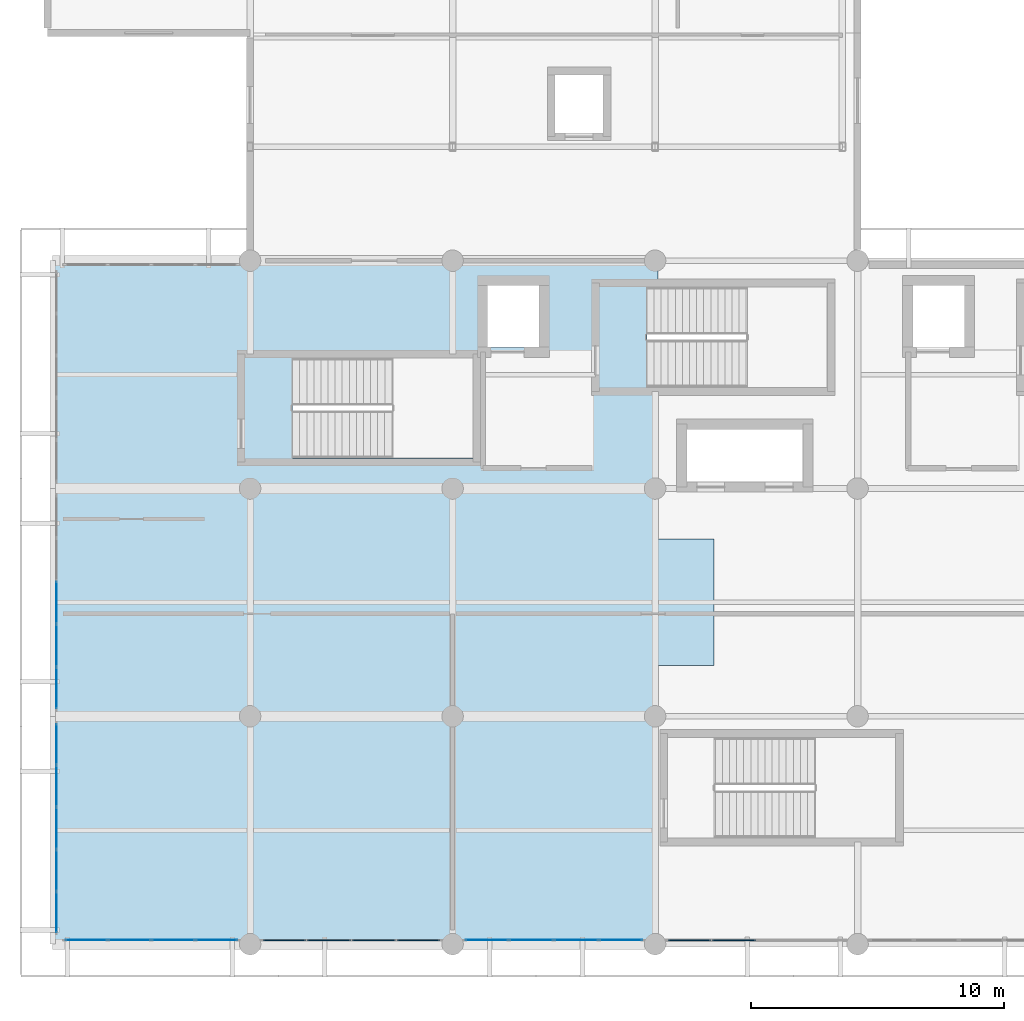
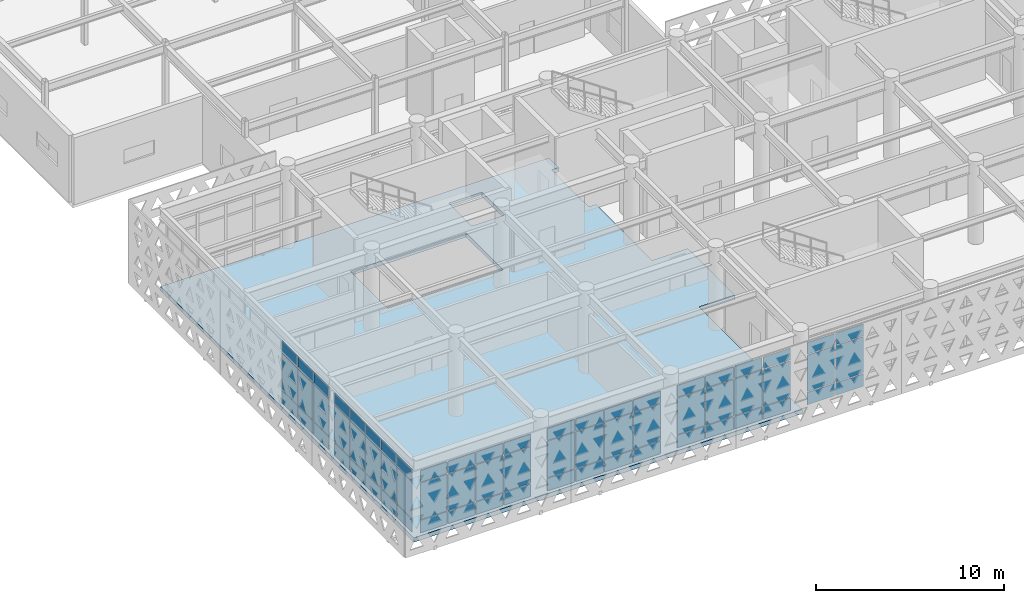
# One storey, part 45 of 84: 66 plates, 1 slab, 6 elements without a shape of their own.
"""IFC4 building model written with IfcOpenShell, lengths in metres."""

from ifc_helpers import new_model, si_unit, direction, frame, origin, origin_2d, place, context, subcontext, project, spatial, polyline, rectangle, outline, extrude, material, layer, layer_set, type_object, element, aggregate, save


model = new_model("IFC4")

# Units and contexts
model_context = context("Model", 3, precision=1e-05, world=origin(), true_north=direction((0.0, 1.0)))
body_context = subcontext(model_context, "Body", "Model", "MODEL_VIEW")
ifc_project = project(units=[si_unit("LENGTHUNIT", "METRE"), si_unit("AREAUNIT", "SQUARE_METRE"), si_unit("VOLUMEUNIT", "CUBIC_METRE"), si_unit("PLANEANGLEUNIT", "RADIAN"), si_unit("MASSUNIT", "GRAM", prefix="KILO")], contexts=[model_context])

# Site, building, storey
site_placement = place(None, origin())
site = spatial("IfcSite", under=ifc_project, at=site_placement, CompositionType="ELEMENT")
building_placement = place(site_placement, origin())
building = spatial("IfcBuilding", under=site, at=building_placement, Name="Tlacozan Convention Centre", CompositionType="ELEMENT")
storey_placement = place(building_placement, frame((0.0, 0.0, 6.0)))
storey = spatial("IfcBuildingStorey", under=building, at=storey_placement, Name="L01", CompositionType="ELEMENT", Elevation=6.0)

# Slab
ifc_material_1 = material(Name="Concrete C40/50", Category="concrete")
ifc_layer_1 = layer(ifc_material_1, 0.280029296875)
ifc_layer_set_1 = layer_set([ifc_layer_1], Name="Concrete C40/50")
slab_type = type_object("IfcSlabType", Name="Congress Composite Floor Slab 280", PredefinedType="FLOOR", material=ifc_layer_set_1)
slab_placement = place(storey_placement, frame((0.0, 0.0, -0.280029296875)))
element("IfcSlab", 1, at=slab_placement, inside=storey, type_object=slab_type, Name="L01 Congress Composite Floor Slab 280 53", PredefinedType="FLOOR", context=body_context, shape_type="SweptSolid", body=[
    extrude(outline(polyline([(0.199951171875, 0.0), (0.199951171875, 27.0), (24.1201171875, 27.0), (24.1201171875, 25.9599609375), (23.679931640625, 25.9599609375), (23.679931640625, 22.0), (24.1201171875, 22.0), (24.1201171875, 16.0), (26.320068359375, 16.0), (26.320068359375, 11.0), (24.1201171875, 11.0), (24.1201171875, 0.0), (0.199951171875, 0.0)]), holes=[polyline([(9.679931640625, 19.199951171875), (16.800048828125, 19.199951171875), (16.800048828125, 23.159912109375), (9.679931640625, 23.159912109375), (9.679931640625, 19.199951171875)]), polyline([(19.419921875, 26.02001953125), (17.3798828125, 26.02001953125), (17.3798828125, 23.580078125), (19.419921875, 23.580078125), (19.419921875, 26.02001953125)])]), origin(), (0.0, 0.0, 1.0), 0.280029296875),
])

# Curtain wall, plates
ifc_material_2 = material(Name="Dark Bronze Anodised Aluminium", Category="aluminium")
ifc_layer_2 = layer(ifc_material_2, 0.159912109375)
ifc_layer_set_2 = layer_set([ifc_layer_2], Name="Dark Bronze Anodised Aluminium")
curtain_wall_type_1 = type_object("IfcCurtainWallType", Name="Unitised Congress L01 South CW02", PredefinedType="NOTDEFINED", material=ifc_layer_set_2)
curtain_wall_1_placement = place(storey_placement, origin())
curtain_wall_1 = element("IfcCurtainWall", 2, at=curtain_wall_1_placement, inside=storey, type_object=curtain_wall_type_1, Name="L01 CW-02 Run 55", PredefinedType="NOTDEFINED")
ifc_material_3 = material(Name="Solar Control Double Low-E Argon Glazing", Category="glass")
ifc_layer_3 = layer(ifc_material_3, 0.02001953125)
ifc_layer_set_3 = layer_set([ifc_layer_3], Name="Solar Control Double Low-E Argon Glazing")
plate_type_1 = type_object("IfcPlateType", Name="Double Low-E Glazed CW Panel 20", PredefinedType="CURTAIN_PANEL", material=ifc_layer_set_3)
plate_1_placement = place(storey_placement, frame((1.52880859375, 0.159912109375, 0.06494140625), z_axis=(0.0, 0.0, 1.0), x_axis=(1.0, 0.0, 0.0)))
plate_1 = element("IfcPlate", 3, at=plate_1_placement, type_object=plate_type_1, Name="CW-02 panel 1.1", PredefinedType="CURTAIN_PANEL", context=body_context, shape_type="SweptSolid", body=[
    extrude(rectangle(XDim=1.62744140625, YDim=0.02001953125, at=origin_2d()), origin(), (0.0, 0.0, 1.0), 0.802490234375),
])
plate_2_placement = place(storey_placement, frame((1.52880859375, 0.159912109375, 0.9326171875), z_axis=(0.0, 0.0, 1.0), x_axis=(1.0, 0.0, 0.0)))
plate_2 = element("IfcPlate", 4, at=plate_2_placement, type_object=plate_type_1, Name="CW-02 panel 1.2", PredefinedType="CURTAIN_PANEL", context=body_context, shape_type="SweptSolid", body=[
    extrude(rectangle(XDim=1.62744140625, YDim=0.02001953125, at=origin_2d()), origin(), (0.0, 0.0, 1.0), 2.364990234375),
])
plate_3_placement = place(storey_placement, frame((1.52880859375, 0.159912109375, 3.362548828125), z_axis=(0.0, 0.0, 1.0), x_axis=(1.0, 0.0, 0.0)))
plate_3 = element("IfcPlate", 5, at=plate_3_placement, type_object=plate_type_1, Name="CW-02 panel 1.3", PredefinedType="CURTAIN_PANEL", context=body_context, shape_type="SweptSolid", body=[
    extrude(rectangle(XDim=1.62744140625, YDim=0.02001953125, at=origin_2d()), origin(), (0.0, 0.0, 1.0), 0.75244140625),
])
plate_4_placement = place(storey_placement, frame((3.237548828125, 0.159912109375, 0.06494140625), z_axis=(0.0, 0.0, 1.0), x_axis=(1.0, 0.0, 0.0)))
plate_4 = element("IfcPlate", 6, at=plate_4_placement, type_object=plate_type_1, Name="CW-02 panel 2.1", PredefinedType="CURTAIN_PANEL", context=body_context, shape_type="SweptSolid", body=[
    extrude(rectangle(XDim=1.659912109375, YDim=0.02001953125, at=origin_2d()), origin(), (0.0, 0.0, 1.0), 0.802490234375),
])
plate_5_placement = place(storey_placement, frame((3.237548828125, 0.159912109375, 0.9326171875), z_axis=(0.0, 0.0, 1.0), x_axis=(1.0, 0.0, 0.0)))
plate_5 = element("IfcPlate", 7, at=plate_5_placement, type_object=plate_type_1, Name="CW-02 panel 2.2", PredefinedType="CURTAIN_PANEL", context=body_context, shape_type="SweptSolid", body=[
    extrude(rectangle(XDim=1.659912109375, YDim=0.02001953125, at=origin_2d()), origin(), (0.0, 0.0, 1.0), 2.364990234375),
])
plate_6_placement = place(storey_placement, frame((3.237548828125, 0.159912109375, 3.362548828125), z_axis=(0.0, 0.0, 1.0), x_axis=(1.0, 0.0, 0.0)))
plate_6 = element("IfcPlate", 8, at=plate_6_placement, type_object=plate_type_1, Name="CW-02 panel 2.3", PredefinedType="CURTAIN_PANEL", context=body_context, shape_type="SweptSolid", body=[
    extrude(rectangle(XDim=1.659912109375, YDim=0.02001953125, at=origin_2d()), origin(), (0.0, 0.0, 1.0), 0.75244140625),
])
plate_7_placement = place(storey_placement, frame((4.96240234375, 0.159912109375, 0.06494140625), z_axis=(0.0, 0.0, 1.0), x_axis=(1.0, 0.0, 0.0)))
plate_7 = element("IfcPlate", 9, at=plate_7_placement, type_object=plate_type_1, Name="CW-02 panel 3.1", PredefinedType="CURTAIN_PANEL", context=body_context, shape_type="SweptSolid", body=[
    extrude(rectangle(XDim=1.659912109375, YDim=0.02001953125, at=origin_2d()), origin(), (0.0, 0.0, 1.0), 0.802490234375),
])
plate_8_placement = place(storey_placement, frame((4.96240234375, 0.159912109375, 0.9326171875), z_axis=(0.0, 0.0, 1.0), x_axis=(1.0, 0.0, 0.0)))
plate_8 = element("IfcPlate", 10, at=plate_8_placement, type_object=plate_type_1, Name="CW-02 panel 3.2", PredefinedType="CURTAIN_PANEL", context=body_context, shape_type="SweptSolid", body=[
    extrude(rectangle(XDim=1.659912109375, YDim=0.02001953125, at=origin_2d()), origin(), (0.0, 0.0, 1.0), 2.364990234375),
])
plate_9_placement = place(storey_placement, frame((4.96240234375, 0.159912109375, 3.362548828125), z_axis=(0.0, 0.0, 1.0), x_axis=(1.0, 0.0, 0.0)))
plate_9 = element("IfcPlate", 11, at=plate_9_placement, type_object=plate_type_1, Name="CW-02 panel 3.3", PredefinedType="CURTAIN_PANEL", context=body_context, shape_type="SweptSolid", body=[
    extrude(rectangle(XDim=1.659912109375, YDim=0.02001953125, at=origin_2d()), origin(), (0.0, 0.0, 1.0), 0.75244140625),
])
plate_10_placement = place(storey_placement, frame((6.671142578125, 0.159912109375, 0.06494140625), z_axis=(0.0, 0.0, 1.0), x_axis=(1.0, 0.0, 0.0)))
plate_10 = element("IfcPlate", 12, at=plate_10_placement, type_object=plate_type_1, Name="CW-02 panel 4.1", PredefinedType="CURTAIN_PANEL", context=body_context, shape_type="SweptSolid", body=[
    extrude(rectangle(XDim=1.62744140625, YDim=0.02001953125, at=origin_2d()), origin(), (0.0, 0.0, 1.0), 0.802490234375),
])
plate_11_placement = place(storey_placement, frame((6.671142578125, 0.159912109375, 0.9326171875), z_axis=(0.0, 0.0, 1.0), x_axis=(1.0, 0.0, 0.0)))
plate_11 = element("IfcPlate", 13, at=plate_11_placement, type_object=plate_type_1, Name="CW-02 panel 4.2", PredefinedType="CURTAIN_PANEL", context=body_context, shape_type="SweptSolid", body=[
    extrude(rectangle(XDim=1.62744140625, YDim=0.02001953125, at=origin_2d()), origin(), (0.0, 0.0, 1.0), 2.364990234375),
])
plate_12_placement = place(storey_placement, frame((6.671142578125, 0.159912109375, 3.362548828125), z_axis=(0.0, 0.0, 1.0), x_axis=(1.0, 0.0, 0.0)))
plate_12 = element("IfcPlate", 14, at=plate_12_placement, type_object=plate_type_1, Name="CW-02 panel 4.3", PredefinedType="CURTAIN_PANEL", context=body_context, shape_type="SweptSolid", body=[
    extrude(rectangle(XDim=1.62744140625, YDim=0.02001953125, at=origin_2d()), origin(), (0.0, 0.0, 1.0), 0.75244140625),
])
aggregate(curtain_wall_1, [plate_1, plate_2, plate_3, plate_4, plate_5, plate_6, plate_7, plate_8, plate_9, plate_10, plate_11, plate_12])

curtain_wall_2_placement = place(storey_placement, origin())
curtain_wall_2 = element("IfcCurtainWall", 15, at=curtain_wall_2_placement, inside=storey, type_object=curtain_wall_type_1, Name="L01 CW-02 Run 57", PredefinedType="NOTDEFINED")
plate_13_placement = place(storey_placement, frame((17.353759765625, 0.159912109375, 0.06494140625), z_axis=(0.0, 0.0, 1.0), x_axis=(1.0, 0.0, 0.0)))
plate_13 = element("IfcPlate", 16, at=plate_13_placement, type_object=plate_type_1, Name="CW-02 panel 1.1", PredefinedType="CURTAIN_PANEL", context=body_context, shape_type="SweptSolid", body=[
    extrude(rectangle(XDim=1.677490234375, YDim=0.02001953125, at=origin_2d()), origin(), (0.0, 0.0, 1.0), 0.802490234375),
])
plate_14_placement = place(storey_placement, frame((17.353759765625, 0.159912109375, 0.9326171875), z_axis=(0.0, 0.0, 1.0), x_axis=(1.0, 0.0, 0.0)))
plate_14 = element("IfcPlate", 17, at=plate_14_placement, type_object=plate_type_1, Name="CW-02 panel 1.2", PredefinedType="CURTAIN_PANEL", context=body_context, shape_type="SweptSolid", body=[
    extrude(rectangle(XDim=1.677490234375, YDim=0.02001953125, at=origin_2d()), origin(), (0.0, 0.0, 1.0), 2.364990234375),
])
plate_15_placement = place(storey_placement, frame((17.353759765625, 0.159912109375, 3.362548828125), z_axis=(0.0, 0.0, 1.0), x_axis=(1.0, 0.0, 0.0)))
plate_15 = element("IfcPlate", 18, at=plate_15_placement, type_object=plate_type_1, Name="CW-02 panel 1.3", PredefinedType="CURTAIN_PANEL", context=body_context, shape_type="SweptSolid", body=[
    extrude(rectangle(XDim=1.677490234375, YDim=0.02001953125, at=origin_2d()), origin(), (0.0, 0.0, 1.0), 0.75244140625),
])
plate_16_placement = place(storey_placement, frame((19.112548828125, 0.159912109375, 0.06494140625), z_axis=(0.0, 0.0, 1.0), x_axis=(1.0, 0.0, 0.0)))
plate_16 = element("IfcPlate", 19, at=plate_16_placement, type_object=plate_type_1, Name="CW-02 panel 2.1", PredefinedType="CURTAIN_PANEL", context=body_context, shape_type="SweptSolid", body=[
    extrude(rectangle(XDim=1.7099609375, YDim=0.02001953125, at=origin_2d()), origin(), (0.0, 0.0, 1.0), 0.802490234375),
])
plate_17_placement = place(storey_placement, frame((19.112548828125, 0.159912109375, 0.9326171875), z_axis=(0.0, 0.0, 1.0), x_axis=(1.0, 0.0, 0.0)))
plate_17 = element("IfcPlate", 20, at=plate_17_placement, type_object=plate_type_1, Name="CW-02 panel 2.2", PredefinedType="CURTAIN_PANEL", context=body_context, shape_type="SweptSolid", body=[
    extrude(rectangle(XDim=1.7099609375, YDim=0.02001953125, at=origin_2d()), origin(), (0.0, 0.0, 1.0), 2.364990234375),
])
plate_18_placement = place(storey_placement, frame((19.112548828125, 0.159912109375, 3.362548828125), z_axis=(0.0, 0.0, 1.0), x_axis=(1.0, 0.0, 0.0)))
plate_18 = element("IfcPlate", 21, at=plate_18_placement, type_object=plate_type_1, Name="CW-02 panel 2.3", PredefinedType="CURTAIN_PANEL", context=body_context, shape_type="SweptSolid", body=[
    extrude(rectangle(XDim=1.7099609375, YDim=0.02001953125, at=origin_2d()), origin(), (0.0, 0.0, 1.0), 0.75244140625),
])
plate_19_placement = place(storey_placement, frame((20.887451171875, 0.159912109375, 0.06494140625), z_axis=(0.0, 0.0, 1.0), x_axis=(1.0, 0.0, 0.0)))
plate_19 = element("IfcPlate", 22, at=plate_19_placement, type_object=plate_type_1, Name="CW-02 panel 3.1", PredefinedType="CURTAIN_PANEL", context=body_context, shape_type="SweptSolid", body=[
    extrude(rectangle(XDim=1.7099609375, YDim=0.02001953125, at=origin_2d()), origin(), (0.0, 0.0, 1.0), 0.802490234375),
])
plate_20_placement = place(storey_placement, frame((20.887451171875, 0.159912109375, 0.9326171875), z_axis=(0.0, 0.0, 1.0), x_axis=(1.0, 0.0, 0.0)))
plate_20 = element("IfcPlate", 23, at=plate_20_placement, type_object=plate_type_1, Name="CW-02 panel 3.2", PredefinedType="CURTAIN_PANEL", context=body_context, shape_type="SweptSolid", body=[
    extrude(rectangle(XDim=1.7099609375, YDim=0.02001953125, at=origin_2d()), origin(), (0.0, 0.0, 1.0), 2.364990234375),
])
plate_21_placement = place(storey_placement, frame((20.887451171875, 0.159912109375, 3.362548828125), z_axis=(0.0, 0.0, 1.0), x_axis=(1.0, 0.0, 0.0)))
plate_21 = element("IfcPlate", 24, at=plate_21_placement, type_object=plate_type_1, Name="CW-02 panel 3.3", PredefinedType="CURTAIN_PANEL", context=body_context, shape_type="SweptSolid", body=[
    extrude(rectangle(XDim=1.7099609375, YDim=0.02001953125, at=origin_2d()), origin(), (0.0, 0.0, 1.0), 0.75244140625),
])
plate_22_placement = place(storey_placement, frame((22.646240234375, 0.159912109375, 0.06494140625), z_axis=(0.0, 0.0, 1.0), x_axis=(1.0, 0.0, 0.0)))
plate_22 = element("IfcPlate", 25, at=plate_22_placement, type_object=plate_type_1, Name="CW-02 panel 4.1", PredefinedType="CURTAIN_PANEL", context=body_context, shape_type="SweptSolid", body=[
    extrude(rectangle(XDim=1.677490234375, YDim=0.02001953125, at=origin_2d()), origin(), (0.0, 0.0, 1.0), 0.802490234375),
])
plate_23_placement = place(storey_placement, frame((22.646240234375, 0.159912109375, 0.9326171875), z_axis=(0.0, 0.0, 1.0), x_axis=(1.0, 0.0, 0.0)))
plate_23 = element("IfcPlate", 26, at=plate_23_placement, type_object=plate_type_1, Name="CW-02 panel 4.2", PredefinedType="CURTAIN_PANEL", context=body_context, shape_type="SweptSolid", body=[
    extrude(rectangle(XDim=1.677490234375, YDim=0.02001953125, at=origin_2d()), origin(), (0.0, 0.0, 1.0), 2.364990234375),
])
plate_24_placement = place(storey_placement, frame((22.646240234375, 0.159912109375, 3.362548828125), z_axis=(0.0, 0.0, 1.0), x_axis=(1.0, 0.0, 0.0)))
plate_24 = element("IfcPlate", 27, at=plate_24_placement, type_object=plate_type_1, Name="CW-02 panel 4.3", PredefinedType="CURTAIN_PANEL", context=body_context, shape_type="SweptSolid", body=[
    extrude(rectangle(XDim=1.677490234375, YDim=0.02001953125, at=origin_2d()), origin(), (0.0, 0.0, 1.0), 0.75244140625),
])
aggregate(curtain_wall_2, [plate_13, plate_14, plate_15, plate_16, plate_17, plate_18, plate_19, plate_20, plate_21, plate_22, plate_23, plate_24])

ifc_layer_4 = layer(ifc_material_2, 0.159912109375)
ifc_layer_set_4 = layer_set([ifc_layer_4], Name="Dark Bronze Anodised Aluminium")
curtain_wall_type_2 = type_object("IfcCurtainWallType", Name="Unitised Congress Gable End CW06", PredefinedType="NOTDEFINED", material=ifc_layer_set_4)
curtain_wall_3_placement = place(storey_placement, origin())
curtain_wall_3 = element("IfcCurtainWall", 28, at=curtain_wall_3_placement, inside=storey, type_object=curtain_wall_type_2, Name="L01 CW-06 Run 72", PredefinedType="NOTDEFINED")
plate_25_placement = place(storey_placement, frame((0.360107421875, 1.259033203125, 0.06005859375), z_axis=(0.0, 0.0, 1.0), x_axis=(0.0, 1.0, 0.0)))
plate_25 = element("IfcPlate", 29, at=plate_25_placement, type_object=plate_type_1, Name="CW-06 panel 1.1", PredefinedType="CURTAIN_PANEL", context=body_context, shape_type="SweptSolid", body=[
    extrude(rectangle(XDim=1.577880859375, YDim=0.02001953125, at=origin_2d()), origin(), (0.0, 0.0, 1.0), 0.81005859375),
])
plate_26_placement = place(storey_placement, frame((0.360107421875, 1.259033203125, 0.929931640625), z_axis=(0.0, 0.0, 1.0), x_axis=(0.0, 1.0, 0.0)))
plate_26 = element("IfcPlate", 30, at=plate_26_placement, type_object=plate_type_1, Name="CW-06 panel 1.2", PredefinedType="CURTAIN_PANEL", context=body_context, shape_type="SweptSolid", body=[
    extrude(rectangle(XDim=1.577880859375, YDim=0.02001953125, at=origin_2d()), origin(), (0.0, 0.0, 1.0), 2.3701171875),
])
plate_27_placement = place(storey_placement, frame((0.360107421875, 1.259033203125, 3.35986328125), z_axis=(0.0, 0.0, 1.0), x_axis=(0.0, 1.0, 0.0)))
plate_27 = element("IfcPlate", 31, at=plate_27_placement, type_object=plate_type_1, Name="CW-06 panel 1.3", PredefinedType="CURTAIN_PANEL", context=body_context, shape_type="SweptSolid", body=[
    extrude(rectangle(XDim=1.577880859375, YDim=0.02001953125, at=origin_2d()), origin(), (0.0, 0.0, 1.0), 0.760009765625),
])
plate_28_placement = place(storey_placement, frame((0.360107421875, 2.912109375, 0.06005859375), z_axis=(0.0, 0.0, 1.0), x_axis=(0.0, 1.0, 0.0)))
plate_28 = element("IfcPlate", 32, at=plate_28_placement, type_object=plate_type_1, Name="CW-06 panel 2.1", PredefinedType="CURTAIN_PANEL", context=body_context, shape_type="SweptSolid", body=[
    extrude(rectangle(XDim=1.60791015625, YDim=0.02001953125, at=origin_2d()), origin(), (0.0, 0.0, 1.0), 0.81005859375),
])
plate_29_placement = place(storey_placement, frame((0.360107421875, 2.912109375, 0.929931640625), z_axis=(0.0, 0.0, 1.0), x_axis=(0.0, 1.0, 0.0)))
plate_29 = element("IfcPlate", 33, at=plate_29_placement, type_object=plate_type_1, Name="CW-06 panel 2.2", PredefinedType="CURTAIN_PANEL", context=body_context, shape_type="SweptSolid", body=[
    extrude(rectangle(XDim=1.60791015625, YDim=0.02001953125, at=origin_2d()), origin(), (0.0, 0.0, 1.0), 2.3701171875),
])
plate_30_placement = place(storey_placement, frame((0.360107421875, 2.912109375, 3.35986328125), z_axis=(0.0, 0.0, 1.0), x_axis=(0.0, 1.0, 0.0)))
plate_30 = element("IfcPlate", 34, at=plate_30_placement, type_object=plate_type_1, Name="CW-06 panel 2.3", PredefinedType="CURTAIN_PANEL", context=body_context, shape_type="SweptSolid", body=[
    extrude(rectangle(XDim=1.60791015625, YDim=0.02001953125, at=origin_2d()), origin(), (0.0, 0.0, 1.0), 0.760009765625),
])
plate_31_placement = place(storey_placement, frame((0.360107421875, 4.580078125, 0.06005859375), z_axis=(0.0, 0.0, 1.0), x_axis=(0.0, 1.0, 0.0)))
plate_31 = element("IfcPlate", 35, at=plate_31_placement, type_object=plate_type_1, Name="CW-06 panel 3.1", PredefinedType="CURTAIN_PANEL", context=body_context, shape_type="SweptSolid", body=[
    extrude(rectangle(XDim=1.60791015625, YDim=0.02001953125, at=origin_2d()), origin(), (0.0, 0.0, 1.0), 0.81005859375),
])
plate_32_placement = place(storey_placement, frame((0.360107421875, 4.580078125, 0.929931640625), z_axis=(0.0, 0.0, 1.0), x_axis=(0.0, 1.0, 0.0)))
plate_32 = element("IfcPlate", 36, at=plate_32_placement, type_object=plate_type_1, Name="CW-06 panel 3.2", PredefinedType="CURTAIN_PANEL", context=body_context, shape_type="SweptSolid", body=[
    extrude(rectangle(XDim=1.60791015625, YDim=0.02001953125, at=origin_2d()), origin(), (0.0, 0.0, 1.0), 2.3701171875),
])
plate_33_placement = place(storey_placement, frame((0.360107421875, 4.580078125, 3.35986328125), z_axis=(0.0, 0.0, 1.0), x_axis=(0.0, 1.0, 0.0)))
plate_33 = element("IfcPlate", 37, at=plate_33_placement, type_object=plate_type_1, Name="CW-06 panel 3.3", PredefinedType="CURTAIN_PANEL", context=body_context, shape_type="SweptSolid", body=[
    extrude(rectangle(XDim=1.60791015625, YDim=0.02001953125, at=origin_2d()), origin(), (0.0, 0.0, 1.0), 0.760009765625),
])
plate_34_placement = place(storey_placement, frame((0.360107421875, 6.248046875, 0.06005859375), z_axis=(0.0, 0.0, 1.0), x_axis=(0.0, 1.0, 0.0)))
plate_34 = element("IfcPlate", 38, at=plate_34_placement, type_object=plate_type_1, Name="CW-06 panel 4.1", PredefinedType="CURTAIN_PANEL", context=body_context, shape_type="SweptSolid", body=[
    extrude(rectangle(XDim=1.60791015625, YDim=0.02001953125, at=origin_2d()), origin(), (0.0, 0.0, 1.0), 0.81005859375),
])
plate_35_placement = place(storey_placement, frame((0.360107421875, 6.248046875, 0.929931640625), z_axis=(0.0, 0.0, 1.0), x_axis=(0.0, 1.0, 0.0)))
plate_35 = element("IfcPlate", 39, at=plate_35_placement, type_object=plate_type_1, Name="CW-06 panel 4.2", PredefinedType="CURTAIN_PANEL", context=body_context, shape_type="SweptSolid", body=[
    extrude(rectangle(XDim=1.60791015625, YDim=0.02001953125, at=origin_2d()), origin(), (0.0, 0.0, 1.0), 2.3701171875),
])
plate_36_placement = place(storey_placement, frame((0.360107421875, 6.248046875, 3.35986328125), z_axis=(0.0, 0.0, 1.0), x_axis=(0.0, 1.0, 0.0)))
plate_36 = element("IfcPlate", 40, at=plate_36_placement, type_object=plate_type_1, Name="CW-06 panel 4.3", PredefinedType="CURTAIN_PANEL", context=body_context, shape_type="SweptSolid", body=[
    extrude(rectangle(XDim=1.60791015625, YDim=0.02001953125, at=origin_2d()), origin(), (0.0, 0.0, 1.0), 0.760009765625),
])
plate_37_placement = place(storey_placement, frame((0.360107421875, 7.90087890625, 0.06005859375), z_axis=(0.0, 0.0, 1.0), x_axis=(0.0, 1.0, 0.0)))
plate_37 = element("IfcPlate", 41, at=plate_37_placement, type_object=plate_type_1, Name="CW-06 panel 5.1", PredefinedType="CURTAIN_PANEL", context=body_context, shape_type="SweptSolid", body=[
    extrude(rectangle(XDim=1.577880859375, YDim=0.02001953125, at=origin_2d()), origin(), (0.0, 0.0, 1.0), 0.81005859375),
])
plate_38_placement = place(storey_placement, frame((0.360107421875, 7.90087890625, 0.929931640625), z_axis=(0.0, 0.0, 1.0), x_axis=(0.0, 1.0, 0.0)))
plate_38 = element("IfcPlate", 42, at=plate_38_placement, type_object=plate_type_1, Name="CW-06 panel 5.2", PredefinedType="CURTAIN_PANEL", context=body_context, shape_type="SweptSolid", body=[
    extrude(rectangle(XDim=1.577880859375, YDim=0.02001953125, at=origin_2d()), origin(), (0.0, 0.0, 1.0), 2.3701171875),
])
plate_39_placement = place(storey_placement, frame((0.360107421875, 7.90087890625, 3.35986328125), z_axis=(0.0, 0.0, 1.0), x_axis=(0.0, 1.0, 0.0)))
plate_39 = element("IfcPlate", 43, at=plate_39_placement, type_object=plate_type_1, Name="CW-06 panel 5.3", PredefinedType="CURTAIN_PANEL", context=body_context, shape_type="SweptSolid", body=[
    extrude(rectangle(XDim=1.577880859375, YDim=0.02001953125, at=origin_2d()), origin(), (0.0, 0.0, 1.0), 0.760009765625),
])
aggregate(curtain_wall_3, [plate_25, plate_26, plate_27, plate_28, plate_29, plate_30, plate_31, plate_32, plate_33, plate_34, plate_35, plate_36, plate_37, plate_38, plate_39])

curtain_wall_4_placement = place(storey_placement, origin())
curtain_wall_4 = element("IfcCurtainWall", 44, at=curtain_wall_4_placement, inside=storey, type_object=curtain_wall_type_2, Name="L01 CW-06 Run 74", PredefinedType="NOTDEFINED")
plate_40_placement = place(storey_placement, frame((0.360107421875, 10.114990234375, 0.06005859375), z_axis=(0.0, 0.0, 1.0), x_axis=(0.0, 1.0, 0.0)))
plate_40 = element("IfcPlate", 45, at=plate_40_placement, type_object=plate_type_1, Name="CW-06 panel 1.1", PredefinedType="CURTAIN_PANEL", context=body_context, shape_type="SweptSolid", body=[
    extrude(rectangle(XDim=1.610107421875, YDim=0.02001953125, at=origin_2d()), origin(), (0.0, 0.0, 1.0), 0.81005859375),
])
plate_41_placement = place(storey_placement, frame((0.360107421875, 10.114990234375, 0.929931640625), z_axis=(0.0, 0.0, 1.0), x_axis=(0.0, 1.0, 0.0)))
plate_41 = element("IfcPlate", 46, at=plate_41_placement, type_object=plate_type_1, Name="CW-06 panel 1.2", PredefinedType="CURTAIN_PANEL", context=body_context, shape_type="SweptSolid", body=[
    extrude(rectangle(XDim=1.610107421875, YDim=0.02001953125, at=origin_2d()), origin(), (0.0, 0.0, 1.0), 2.3701171875),
])
plate_42_placement = place(storey_placement, frame((0.360107421875, 10.114990234375, 3.35986328125), z_axis=(0.0, 0.0, 1.0), x_axis=(0.0, 1.0, 0.0)))
plate_42 = element("IfcPlate", 47, at=plate_42_placement, type_object=plate_type_1, Name="CW-06 panel 1.3", PredefinedType="CURTAIN_PANEL", context=body_context, shape_type="SweptSolid", body=[
    extrude(rectangle(XDim=1.610107421875, YDim=0.02001953125, at=origin_2d()), origin(), (0.0, 0.0, 1.0), 0.760009765625),
])
plate_43_placement = place(storey_placement, frame((0.360107421875, 11.800048828125, 0.06005859375), z_axis=(0.0, 0.0, 1.0), x_axis=(0.0, 1.0, 0.0)))
plate_43 = element("IfcPlate", 48, at=plate_43_placement, type_object=plate_type_1, Name="CW-06 panel 2.1", PredefinedType="CURTAIN_PANEL", context=body_context, shape_type="SweptSolid", body=[
    extrude(rectangle(XDim=1.639892578125, YDim=0.02001953125, at=origin_2d()), origin(), (0.0, 0.0, 1.0), 0.81005859375),
])
plate_44_placement = place(storey_placement, frame((0.360107421875, 11.800048828125, 0.929931640625), z_axis=(0.0, 0.0, 1.0), x_axis=(0.0, 1.0, 0.0)))
plate_44 = element("IfcPlate", 49, at=plate_44_placement, type_object=plate_type_1, Name="CW-06 panel 2.2", PredefinedType="CURTAIN_PANEL", context=body_context, shape_type="SweptSolid", body=[
    extrude(rectangle(XDim=1.639892578125, YDim=0.02001953125, at=origin_2d()), origin(), (0.0, 0.0, 1.0), 2.3701171875),
])
plate_45_placement = place(storey_placement, frame((0.360107421875, 11.800048828125, 3.35986328125), z_axis=(0.0, 0.0, 1.0), x_axis=(0.0, 1.0, 0.0)))
plate_45 = element("IfcPlate", 50, at=plate_45_placement, type_object=plate_type_1, Name="CW-06 panel 2.3", PredefinedType="CURTAIN_PANEL", context=body_context, shape_type="SweptSolid", body=[
    extrude(rectangle(XDim=1.639892578125, YDim=0.02001953125, at=origin_2d()), origin(), (0.0, 0.0, 1.0), 0.760009765625),
])
plate_46_placement = place(storey_placement, frame((0.360107421875, 13.5, 0.06005859375), z_axis=(0.0, 0.0, 1.0), x_axis=(0.0, 1.0, 0.0)))
plate_46 = element("IfcPlate", 51, at=plate_46_placement, type_object=plate_type_1, Name="CW-06 panel 3.1", PredefinedType="CURTAIN_PANEL", context=body_context, shape_type="SweptSolid", body=[
    extrude(rectangle(XDim=1.639892578125, YDim=0.02001953125, at=origin_2d()), origin(), (0.0, 0.0, 1.0), 0.81005859375),
])
plate_47_placement = place(storey_placement, frame((0.360107421875, 13.5, 0.929931640625), z_axis=(0.0, 0.0, 1.0), x_axis=(0.0, 1.0, 0.0)))
plate_47 = element("IfcPlate", 52, at=plate_47_placement, type_object=plate_type_1, Name="CW-06 panel 3.2", PredefinedType="CURTAIN_PANEL", context=body_context, shape_type="SweptSolid", body=[
    extrude(rectangle(XDim=1.639892578125, YDim=0.02001953125, at=origin_2d()), origin(), (0.0, 0.0, 1.0), 2.3701171875),
])
plate_48_placement = place(storey_placement, frame((0.360107421875, 13.5, 3.35986328125), z_axis=(0.0, 0.0, 1.0), x_axis=(0.0, 1.0, 0.0)))
plate_48 = element("IfcPlate", 53, at=plate_48_placement, type_object=plate_type_1, Name="CW-06 panel 3.3", PredefinedType="CURTAIN_PANEL", context=body_context, shape_type="SweptSolid", body=[
    extrude(rectangle(XDim=1.639892578125, YDim=0.02001953125, at=origin_2d()), origin(), (0.0, 0.0, 1.0), 0.760009765625),
])
aggregate(curtain_wall_4, [plate_40, plate_41, plate_42, plate_43, plate_44, plate_45, plate_46, plate_47, plate_48])

curtain_wall_5_placement = place(storey_placement, origin())
curtain_wall_5 = element("IfcCurtainWall", 54, at=curtain_wall_5_placement, inside=storey, type_object=curtain_wall_type_1, Name="L01 CW-02 Run 56", PredefinedType="NOTDEFINED")
ifc_layer_5 = layer(ifc_material_3, 0.0400390625)
ifc_layer_set_5 = layer_set([ifc_layer_5], Name="Solar Control Double Low-E Argon Glazing")
plate_type_2 = type_object("IfcPlateType", Name="Insulated Spandrel CW Panel 40", PredefinedType="CURTAIN_PANEL", material=ifc_layer_set_5)
plate_49_placement = place(storey_placement, frame((9.353759765625, 0.159912109375, 0.06494140625), z_axis=(0.0, 0.0, 1.0), x_axis=(1.0, 0.0, 0.0)))
plate_49 = element("IfcPlate", 55, at=plate_49_placement, type_object=plate_type_2, Name="CW-02 panel 1.1", PredefinedType="CURTAIN_PANEL", context=body_context, shape_type="SweptSolid", body=[
    extrude(rectangle(XDim=1.677490234375, YDim=0.0400390625, at=origin_2d()), origin(), (0.0, 0.0, 1.0), 0.802490234375),
])
plate_50_placement = place(storey_placement, frame((9.353759765625, 0.159912109375, 0.9326171875), z_axis=(0.0, 0.0, 1.0), x_axis=(1.0, 0.0, 0.0)))
plate_50 = element("IfcPlate", 56, at=plate_50_placement, type_object=plate_type_2, Name="CW-02 panel 1.2", PredefinedType="CURTAIN_PANEL", context=body_context, shape_type="SweptSolid", body=[
    extrude(rectangle(XDim=1.677490234375, YDim=0.0400390625, at=origin_2d()), origin(), (0.0, 0.0, 1.0), 2.364990234375),
])
plate_51_placement = place(storey_placement, frame((9.353759765625, 0.159912109375, 3.362548828125), z_axis=(0.0, 0.0, 1.0), x_axis=(1.0, 0.0, 0.0)))
plate_51 = element("IfcPlate", 57, at=plate_51_placement, type_object=plate_type_2, Name="CW-02 panel 1.3", PredefinedType="CURTAIN_PANEL", context=body_context, shape_type="SweptSolid", body=[
    extrude(rectangle(XDim=1.677490234375, YDim=0.0400390625, at=origin_2d()), origin(), (0.0, 0.0, 1.0), 0.75244140625),
])
plate_52_placement = place(storey_placement, frame((11.112548828125, 0.159912109375, 0.06494140625), z_axis=(0.0, 0.0, 1.0), x_axis=(1.0, 0.0, 0.0)))
plate_52 = element("IfcPlate", 58, at=plate_52_placement, type_object=plate_type_2, Name="CW-02 panel 2.1", PredefinedType="CURTAIN_PANEL", context=body_context, shape_type="SweptSolid", body=[
    extrude(rectangle(XDim=1.7099609375, YDim=0.0400390625, at=origin_2d()), origin(), (0.0, 0.0, 1.0), 0.802490234375),
])
plate_53_placement = place(storey_placement, frame((11.112548828125, 0.159912109375, 0.9326171875), z_axis=(0.0, 0.0, 1.0), x_axis=(1.0, 0.0, 0.0)))
plate_53 = element("IfcPlate", 59, at=plate_53_placement, type_object=plate_type_2, Name="CW-02 panel 2.2", PredefinedType="CURTAIN_PANEL", context=body_context, shape_type="SweptSolid", body=[
    extrude(rectangle(XDim=1.7099609375, YDim=0.0400390625, at=origin_2d()), origin(), (0.0, 0.0, 1.0), 2.364990234375),
])
plate_54_placement = place(storey_placement, frame((11.112548828125, 0.159912109375, 3.362548828125), z_axis=(0.0, 0.0, 1.0), x_axis=(1.0, 0.0, 0.0)))
plate_54 = element("IfcPlate", 60, at=plate_54_placement, type_object=plate_type_2, Name="CW-02 panel 2.3", PredefinedType="CURTAIN_PANEL", context=body_context, shape_type="SweptSolid", body=[
    extrude(rectangle(XDim=1.7099609375, YDim=0.0400390625, at=origin_2d()), origin(), (0.0, 0.0, 1.0), 0.75244140625),
])
plate_55_placement = place(storey_placement, frame((12.887451171875, 0.159912109375, 0.06494140625), z_axis=(0.0, 0.0, 1.0), x_axis=(1.0, 0.0, 0.0)))
plate_55 = element("IfcPlate", 61, at=plate_55_placement, type_object=plate_type_2, Name="CW-02 panel 3.1", PredefinedType="CURTAIN_PANEL", context=body_context, shape_type="SweptSolid", body=[
    extrude(rectangle(XDim=1.7099609375, YDim=0.0400390625, at=origin_2d()), origin(), (0.0, 0.0, 1.0), 0.802490234375),
])
plate_56_placement = place(storey_placement, frame((12.887451171875, 0.159912109375, 0.9326171875), z_axis=(0.0, 0.0, 1.0), x_axis=(1.0, 0.0, 0.0)))
plate_56 = element("IfcPlate", 62, at=plate_56_placement, type_object=plate_type_2, Name="CW-02 panel 3.2", PredefinedType="CURTAIN_PANEL", context=body_context, shape_type="SweptSolid", body=[
    extrude(rectangle(XDim=1.7099609375, YDim=0.0400390625, at=origin_2d()), origin(), (0.0, 0.0, 1.0), 2.364990234375),
])
plate_57_placement = place(storey_placement, frame((12.887451171875, 0.159912109375, 3.362548828125), z_axis=(0.0, 0.0, 1.0), x_axis=(1.0, 0.0, 0.0)))
plate_57 = element("IfcPlate", 63, at=plate_57_placement, type_object=plate_type_2, Name="CW-02 panel 3.3", PredefinedType="CURTAIN_PANEL", context=body_context, shape_type="SweptSolid", body=[
    extrude(rectangle(XDim=1.7099609375, YDim=0.0400390625, at=origin_2d()), origin(), (0.0, 0.0, 1.0), 0.75244140625),
])
plate_58_placement = place(storey_placement, frame((14.646240234375, 0.159912109375, 0.06494140625), z_axis=(0.0, 0.0, 1.0), x_axis=(1.0, 0.0, 0.0)))
plate_58 = element("IfcPlate", 64, at=plate_58_placement, type_object=plate_type_2, Name="CW-02 panel 4.1", PredefinedType="CURTAIN_PANEL", context=body_context, shape_type="SweptSolid", body=[
    extrude(rectangle(XDim=1.677490234375, YDim=0.0400390625, at=origin_2d()), origin(), (0.0, 0.0, 1.0), 0.802490234375),
])
plate_59_placement = place(storey_placement, frame((14.646240234375, 0.159912109375, 0.9326171875), z_axis=(0.0, 0.0, 1.0), x_axis=(1.0, 0.0, 0.0)))
plate_59 = element("IfcPlate", 65, at=plate_59_placement, type_object=plate_type_2, Name="CW-02 panel 4.2", PredefinedType="CURTAIN_PANEL", context=body_context, shape_type="SweptSolid", body=[
    extrude(rectangle(XDim=1.677490234375, YDim=0.0400390625, at=origin_2d()), origin(), (0.0, 0.0, 1.0), 2.364990234375),
])
plate_60_placement = place(storey_placement, frame((14.646240234375, 0.159912109375, 3.362548828125), z_axis=(0.0, 0.0, 1.0), x_axis=(1.0, 0.0, 0.0)))
plate_60 = element("IfcPlate", 66, at=plate_60_placement, type_object=plate_type_2, Name="CW-02 panel 4.3", PredefinedType="CURTAIN_PANEL", context=body_context, shape_type="SweptSolid", body=[
    extrude(rectangle(XDim=1.677490234375, YDim=0.0400390625, at=origin_2d()), origin(), (0.0, 0.0, 1.0), 0.75244140625),
])
aggregate(curtain_wall_5, [plate_49, plate_50, plate_51, plate_52, plate_53, plate_54, plate_55, plate_56, plate_57, plate_58, plate_59, plate_60])

curtain_wall_6_placement = place(storey_placement, origin())
curtain_wall_6 = element("IfcCurtainWall", 67, at=curtain_wall_6_placement, inside=storey, type_object=curtain_wall_type_1, Name="L01 CW-02 Run 58", PredefinedType="NOTDEFINED")
plate_61_placement = place(storey_placement, frame((25.353759765625, 0.159912109375, 0.06494140625), z_axis=(0.0, 0.0, 1.0), x_axis=(1.0, 0.0, 0.0)))
plate_61 = element("IfcPlate", 68, at=plate_61_placement, type_object=plate_type_2, Name="CW-02 panel 1.1", PredefinedType="CURTAIN_PANEL", context=body_context, shape_type="SweptSolid", body=[
    extrude(rectangle(XDim=1.677490234375, YDim=0.0400390625, at=origin_2d()), origin(), (0.0, 0.0, 1.0), 0.802490234375),
])
plate_62_placement = place(storey_placement, frame((25.353759765625, 0.159912109375, 0.9326171875), z_axis=(0.0, 0.0, 1.0), x_axis=(1.0, 0.0, 0.0)))
plate_62 = element("IfcPlate", 69, at=plate_62_placement, type_object=plate_type_2, Name="CW-02 panel 1.2", PredefinedType="CURTAIN_PANEL", context=body_context, shape_type="SweptSolid", body=[
    extrude(rectangle(XDim=1.677490234375, YDim=0.0400390625, at=origin_2d()), origin(), (0.0, 0.0, 1.0), 2.364990234375),
])
plate_63_placement = place(storey_placement, frame((25.353759765625, 0.159912109375, 3.362548828125), z_axis=(0.0, 0.0, 1.0), x_axis=(1.0, 0.0, 0.0)))
plate_63 = element("IfcPlate", 70, at=plate_63_placement, type_object=plate_type_2, Name="CW-02 panel 1.3", PredefinedType="CURTAIN_PANEL", context=body_context, shape_type="SweptSolid", body=[
    extrude(rectangle(XDim=1.677490234375, YDim=0.0400390625, at=origin_2d()), origin(), (0.0, 0.0, 1.0), 0.75244140625),
])
plate_64_placement = place(storey_placement, frame((27.112548828125, 0.159912109375, 0.06494140625), z_axis=(0.0, 0.0, 1.0), x_axis=(1.0, 0.0, 0.0)))
plate_64 = element("IfcPlate", 71, at=plate_64_placement, type_object=plate_type_2, Name="CW-02 panel 2.1", PredefinedType="CURTAIN_PANEL", context=body_context, shape_type="SweptSolid", body=[
    extrude(rectangle(XDim=1.7099609375, YDim=0.0400390625, at=origin_2d()), origin(), (0.0, 0.0, 1.0), 0.802490234375),
])
plate_65_placement = place(storey_placement, frame((27.112548828125, 0.159912109375, 0.9326171875), z_axis=(0.0, 0.0, 1.0), x_axis=(1.0, 0.0, 0.0)))
plate_65 = element("IfcPlate", 72, at=plate_65_placement, type_object=plate_type_2, Name="CW-02 panel 2.2", PredefinedType="CURTAIN_PANEL", context=body_context, shape_type="SweptSolid", body=[
    extrude(rectangle(XDim=1.7099609375, YDim=0.0400390625, at=origin_2d()), origin(), (0.0, 0.0, 1.0), 2.364990234375),
])
plate_66_placement = place(storey_placement, frame((27.112548828125, 0.159912109375, 3.362548828125), z_axis=(0.0, 0.0, 1.0), x_axis=(1.0, 0.0, 0.0)))
plate_66 = element("IfcPlate", 73, at=plate_66_placement, type_object=plate_type_2, Name="CW-02 panel 2.3", PredefinedType="CURTAIN_PANEL", context=body_context, shape_type="SweptSolid", body=[
    extrude(rectangle(XDim=1.7099609375, YDim=0.0400390625, at=origin_2d()), origin(), (0.0, 0.0, 1.0), 0.75244140625),
])
aggregate(curtain_wall_6, [plate_61, plate_62, plate_63, plate_64, plate_65, plate_66])

save(model, "model.ifc")
